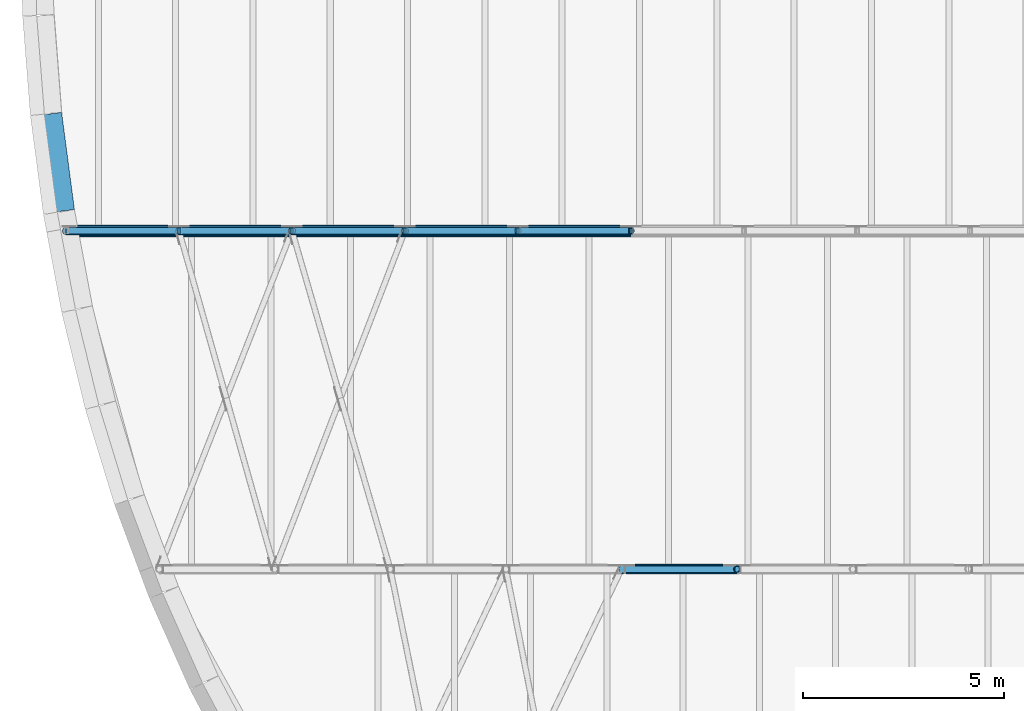
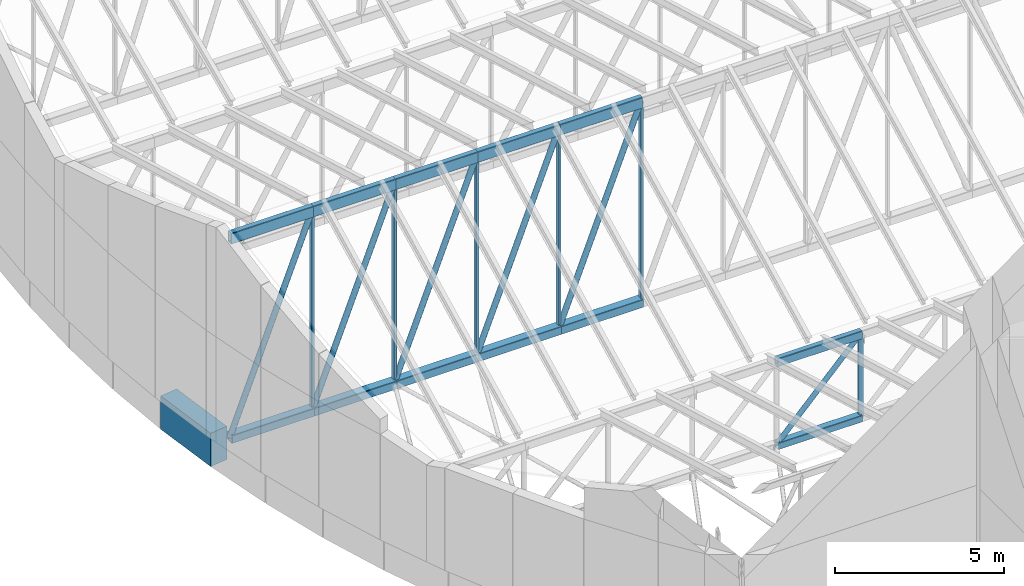
# One storey, part 17 of 68: 13 beams, 12 members.
"""IFC4 building model written with IfcOpenShell, lengths in metres."""

from ifc_helpers import new_model, si_unit, direction, frame, origin, origin_2d, place, context, subcontext, project, spatial, rectangle, hollow_rectangle, hollow_circle, extrude, material, material_profile, profile_set, type_object, element, save


model = new_model("IFC4")

# Units and contexts
model_context = context("Model", 3, precision=1e-05, world=origin(), true_north=direction((0.0, 1.0)))
body_context = subcontext(model_context, "Body", "Model", "MODEL_VIEW")
ifc_project = project(units=[si_unit("LENGTHUNIT", "METRE"), si_unit("AREAUNIT", "SQUARE_METRE"), si_unit("VOLUMEUNIT", "CUBIC_METRE"), si_unit("PLANEANGLEUNIT", "RADIAN"), si_unit("MASSUNIT", "GRAM", prefix="KILO")], contexts=[model_context])

# Site, building, storey
site_placement = place(None, origin())
site = spatial("IfcSite", under=ifc_project, at=site_placement, CompositionType="ELEMENT")
building_placement = place(site_placement, origin())
building = spatial("IfcBuilding", under=site, at=building_placement, Name="Larchfold Concert Hall", CompositionType="ELEMENT")
storey_placement = place(building_placement, frame((0.0, 0.0, 28.800048828125)))
storey = spatial("IfcBuildingStorey", under=building, at=storey_placement, Name="L06", CompositionType="ELEMENT", Elevation=28.800048828125)

# Beams
ifc_material_1 = material(Name="Concrete C40/50", Category="concrete")
ifc_material_profile_1 = material_profile(ifc_material_1, rectangle(XDim=0.60009765625, YDim=1.199951171875, at=origin_2d()))
ifc_profile_set_1 = profile_set([ifc_material_profile_1], Name="Concrete C40/50")
beam_type_1 = type_object("IfcBeamType", Name="Beam RC 600x1200", PredefinedType="BEAM", material=ifc_profile_set_1)
beam_1_placement = place(storey_placement, frame((18.355712890625, 79.702392578125, -0.60009765625), z_axis=(0.130553152471, -0.991441311617, 0.0), x_axis=(0.991441311617, 0.130553152471, 0.0)))
element("IfcBeam", 1, at=beam_1_placement, inside=storey, type_object=beam_type_1, Name="Beam RB41", PredefinedType="BEAM", context=body_context, shape_type="SweptSolid", body=[
    extrude(rectangle(XDim=0.60009765625, YDim=1.199951171875, at=origin_2d()), origin(), (0.0, 0.0, 1.0), 2.432861328125),
])
ifc_material_2 = material(Name="Steel S355J2H", Category="steel")
ifc_material_profile_2 = material_profile(ifc_material_2, hollow_rectangle(XDim=0.199951171875, YDim=0.300048828125, WallThickness=0.012451171875, InnerFilletRadius=0.018798828125, OuterFilletRadius=0.03125, at=origin_2d()))
ifc_profile_set_2 = profile_set([ifc_material_profile_2], Name="Steel S355J2H")
beam_type_2 = type_object("IfcBeamType", Name="Truss chord RHS 300x200x12.5", PredefinedType="BEAM", material=ifc_profile_set_2)
beam_2_placement = place(storey_placement, frame((32.5546875, 68.39990234375, 3.0), z_axis=(1.0, 0.0, 0.0), x_axis=(0.0, 1.0, 0.0)))
element("IfcBeam", 2, at=beam_2_placement, inside=storey, type_object=beam_type_2, Name="Beam FT2T05", PredefinedType="BEAM", context=body_context, shape_type="SweptSolid", body=[
    extrude(hollow_rectangle(XDim=0.199951171875, YDim=0.300048828125, WallThickness=0.012451171875, InnerFilletRadius=0.018798828125, OuterFilletRadius=0.03125, at=origin_2d()), origin(), (0.0, 0.0, 1.0), 2.8701171875),
])
ifc_material_3 = material(Name="Steel S355J2H", Category="steel")
ifc_material_profile_3 = material_profile(ifc_material_3, hollow_rectangle(XDim=0.199951171875, YDim=0.39990234375, WallThickness=0.012451171875, InnerFilletRadius=0.018798828125, OuterFilletRadius=0.03125, at=origin_2d()))
ifc_profile_set_3 = profile_set([ifc_material_profile_3], Name="Steel S355J2H")
beam_type_3 = type_object("IfcBeamType", Name="Truss chord RHS 400x200x12.5", PredefinedType="BEAM", material=ifc_profile_set_3)
for number, where, z_axis, x_axis, name in (
    (3, (18.764404296875, 76.800048828125, 7.199951171875), (1.0, 0.0, 0.0), (0.0, 1.0, 0.0), "Beam FT3T01"),
    (4, (21.568603515625, 76.800048828125, 7.199951171875), (1.0, 0.0, 0.0), (0.0, 1.0, 0.0), "Beam FT3T02"),
    (5, (24.372802734375, 76.800048828125, 7.199951171875), (1.0, 0.0, 0.0), (0.0, 1.0, 0.0), "Beam FT3T03"),
    (6, (27.177001953125, 76.800048828125, 7.199951171875), (1.0, 0.0, 0.0), (0.0, 1.0, 0.0), "Beam FT3T04"),
    (7, (29.981201171875, 76.800048828125, 7.199951171875), (1.0, 0.0, 0.0), (0.0, 1.0, 0.0), "Beam FT3T05"),
):
    element("IfcBeam", number, at=place(storey_placement, frame(where, z_axis=z_axis, x_axis=x_axis)), inside=storey, type_object=beam_type_3, Name=name, PredefinedType="BEAM", context=body_context, shape_type="SweptSolid", body=[
        extrude(hollow_rectangle(XDim=0.199951171875, YDim=0.39990234375, WallThickness=0.012451171875, InnerFilletRadius=0.018798828125, OuterFilletRadius=0.03125, at=origin_2d()), origin(), (0.0, 0.0, 1.0), 2.80419921875),
    ])

# Members
ifc_material_4 = material(Name="Steel S355J2H", Category="steel")
ifc_material_profile_4 = material_profile(ifc_material_4, hollow_circle(Radius=0.084228515625, WallThickness=0.008056640625, at=origin_2d()))
ifc_profile_set_4 = profile_set([ifc_material_profile_4], Name="Steel S355J2H")
member_type_1 = type_object("IfcMemberType", Name="Truss post CHS 168.3x8", PredefinedType="POST", material=ifc_profile_set_4)
member_1_placement = place(storey_placement, frame((35.4248046875, 68.39990234375, 3.0), z_axis=(0.0, 0.0, -1.0), x_axis=(1.0, 0.0, 0.0)))
element("IfcMember", 8, at=member_1_placement, inside=storey, type_object=member_type_1, Name="Member FT2V06", PredefinedType="POST", context=body_context, shape_type="SweptSolid", body=[
    extrude(hollow_circle(Radius=0.084228515625, WallThickness=0.008056640625, at=origin_2d()), origin(), (0.0, 0.0, 1.0), 3.0),
])
ifc_material_5 = material(Name="Steel S355J2H", Category="steel")
ifc_material_profile_5 = material_profile(ifc_material_5, hollow_rectangle(XDim=0.10009765625, YDim=0.14990234375, WallThickness=0.008056640625, InnerFilletRadius=0.008056640625, OuterFilletRadius=0.01611328125, at=origin_2d()))
ifc_profile_set_5 = profile_set([ifc_material_profile_5], Name="Steel S355J2H")
member_type_2 = type_object("IfcMemberType", Name="Truss post RHS 150x100x8", PredefinedType="POST", material=ifc_profile_set_5)
for number, where, z_axis, x_axis, name in (
    (9, (21.568603515625, 76.800048828125, 7.199951171875), (0.0, 0.0, -1.0), (1.0, 0.0, 0.0), "Member FT3V02"),
    (10, (24.372802734375, 76.800048828125, 7.199951171875), (0.0, 0.0, -1.0), (1.0, 0.0, 0.0), "Member FT3V03"),
    (11, (27.177001953125, 76.800048828125, 7.199951171875), (0.0, 0.0, -1.0), (1.0, 0.0, 0.0), "Member FT3V04"),
    (12, (29.981201171875, 76.800048828125, 7.199951171875), (0.0, 0.0, -1.0), (1.0, 0.0, 0.0), "Member FT3V05"),
    (13, (32.785400390625, 76.800048828125, 7.199951171875), (0.0, 0.0, -1.0), (1.0, 0.0, 0.0), "Member FT3V06"),
):
    element("IfcMember", number, at=place(storey_placement, frame(where, z_axis=z_axis, x_axis=x_axis)), inside=storey, type_object=member_type_2, Name=name, PredefinedType="POST", context=body_context, shape_type="SweptSolid", body=[
        extrude(hollow_rectangle(XDim=0.10009765625, YDim=0.14990234375, WallThickness=0.008056640625, InnerFilletRadius=0.008056640625, OuterFilletRadius=0.01611328125, at=origin_2d()), origin(), (0.0, 0.0, 1.0), 7.199951171875),
    ])

# Beams
ifc_material_6 = material(Name="Steel S355J2H", Category="steel")
ifc_material_profile_6 = material_profile(ifc_material_6, hollow_rectangle(XDim=0.25, YDim=0.25, WallThickness=0.012451171875, InnerFilletRadius=0.018798828125, OuterFilletRadius=0.03125, at=origin_2d()))
ifc_profile_set_6 = profile_set([ifc_material_profile_6], Name="Steel S355J2H")
beam_type_4 = type_object("IfcBeamType", Name="Truss tie SHS 250x250x12.5", PredefinedType="BEAM", material=ifc_profile_set_6)
beam_3_placement = place(storey_placement, frame((32.5546875, 68.39990234375, 0.0), z_axis=(1.0, 0.0, 0.0), x_axis=(0.0, 1.0, 0.0)))
element("IfcBeam", 14, at=beam_3_placement, inside=storey, type_object=beam_type_4, Name="Beam FT2B05", PredefinedType="BEAM", context=body_context, shape_type="SweptSolid", body=[
    extrude(hollow_rectangle(XDim=0.25, YDim=0.25, WallThickness=0.012451171875, InnerFilletRadius=0.018798828125, OuterFilletRadius=0.03125, at=origin_2d()), origin(), (0.0, 0.0, 1.0), 2.8701171875),
])
ifc_material_7 = material(Name="Steel S355J2H", Category="steel")
ifc_material_profile_7 = material_profile(ifc_material_7, hollow_rectangle(XDim=0.300048828125, YDim=0.300048828125, WallThickness=0.012451171875, InnerFilletRadius=0.018798828125, OuterFilletRadius=0.03125, at=origin_2d()))
ifc_profile_set_7 = profile_set([ifc_material_profile_7], Name="Steel S355J2H")
beam_type_5 = type_object("IfcBeamType", Name="Truss tie SHS 300x300x12.5", PredefinedType="BEAM", material=ifc_profile_set_7)
for number, where, z_axis, x_axis, name in (
    (15, (18.764404296875, 76.800048828125, 0.0), (1.0, 0.0, 0.0), (0.0, 1.0, 0.0), "Beam FT3B01"),
    (16, (21.568603515625, 76.800048828125, 0.0), (1.0, 0.0, 0.0), (0.0, 1.0, 0.0), "Beam FT3B02"),
    (17, (24.372802734375, 76.800048828125, 0.0), (1.0, 0.0, 0.0), (0.0, 1.0, 0.0), "Beam FT3B03"),
    (18, (27.177001953125, 76.800048828125, 0.0), (1.0, 0.0, 0.0), (0.0, 1.0, 0.0), "Beam FT3B04"),
    (19, (29.981201171875, 76.800048828125, 0.0), (1.0, 0.0, 0.0), (0.0, 1.0, 0.0), "Beam FT3B05"),
):
    element("IfcBeam", number, at=place(storey_placement, frame(where, z_axis=z_axis, x_axis=x_axis)), inside=storey, type_object=beam_type_5, Name=name, PredefinedType="BEAM", context=body_context, shape_type="SweptSolid", body=[
        extrude(hollow_rectangle(XDim=0.300048828125, YDim=0.300048828125, WallThickness=0.012451171875, InnerFilletRadius=0.018798828125, OuterFilletRadius=0.03125, at=origin_2d()), origin(), (0.0, 0.0, 1.0), 2.80419921875),
    ])

# Members
ifc_material_8 = material(Name="Steel S355J2H", Category="steel")
ifc_material_profile_8 = material_profile(ifc_material_8, hollow_circle(Radius=0.084228515625, WallThickness=0.008056640625, at=origin_2d()))
ifc_profile_set_8 = profile_set([ifc_material_profile_8], Name="Steel S355J2H")
member_type_3 = type_object("IfcMemberType", Name="Truss web CHS 168.3x8", PredefinedType="BRACE", material=ifc_profile_set_8)
member_2_placement = place(storey_placement, frame((32.5546875, 68.39990234375, 0.0), z_axis=(0.691292069031, 0.0, 0.722575446092), x_axis=(0.0, 1.0, 0.0)))
element("IfcMember", 20, at=member_2_placement, inside=storey, type_object=member_type_3, Name="Member FT2D05", PredefinedType="BRACE", context=body_context, shape_type="SweptSolid", body=[
    extrude(hollow_circle(Radius=0.084228515625, WallThickness=0.008056640625, at=origin_2d()), origin(), (0.0, 0.0, 1.0), 4.15185546875),
])
ifc_material_9 = material(Name="Steel S355J2H", Category="steel")
ifc_material_profile_9 = material_profile(ifc_material_9, hollow_circle(Radius=0.096923828125, WallThickness=0.008056640625, at=origin_2d()))
ifc_profile_set_9 = profile_set([ifc_material_profile_9], Name="Steel S355J2H")
member_type_4 = type_object("IfcMemberType", Name="Truss web CHS 193.7x8", PredefinedType="BRACE", material=ifc_profile_set_9)
for number, where, z_axis, x_axis, name in (
    (21, (18.764404296875, 76.800048828125, 0.0), (0.362920419815, 0.0, 0.931820137624), (0.0, 1.0, 0.0), "Member FT3D01"),
    (22, (21.568603515625, 76.800048828125, 0.0), (0.362920419815, 0.0, 0.931820137624), (0.0, 1.0, 0.0), "Member FT3D02"),
    (23, (24.372802734375, 76.800048828125, 0.0), (0.362920419815, 0.0, 0.931820137624), (0.0, 1.0, 0.0), "Member FT3D03"),
    (24, (27.177001953125, 76.800048828125, 0.0), (0.362920419815, 0.0, 0.931820137624), (0.0, 1.0, 0.0), "Member FT3D04"),
    (25, (29.981201171875, 76.800048828125, 0.0), (0.362920419815, 0.0, 0.931820137624), (0.0, 1.0, 0.0), "Member FT3D05"),
):
    element("IfcMember", number, at=place(storey_placement, frame(where, z_axis=z_axis, x_axis=x_axis)), inside=storey, type_object=member_type_4, Name=name, PredefinedType="BRACE", context=body_context, shape_type="SweptSolid", body=[
        extrude(hollow_circle(Radius=0.096923828125, WallThickness=0.008056640625, at=origin_2d()), origin(), (0.0, 0.0, 1.0), 7.726806640625),
    ])

save(model, "model.ifc")
